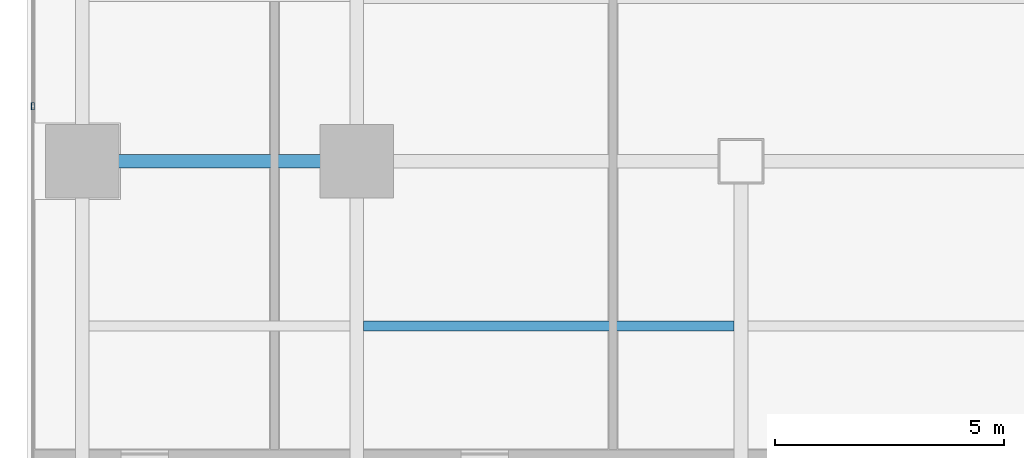
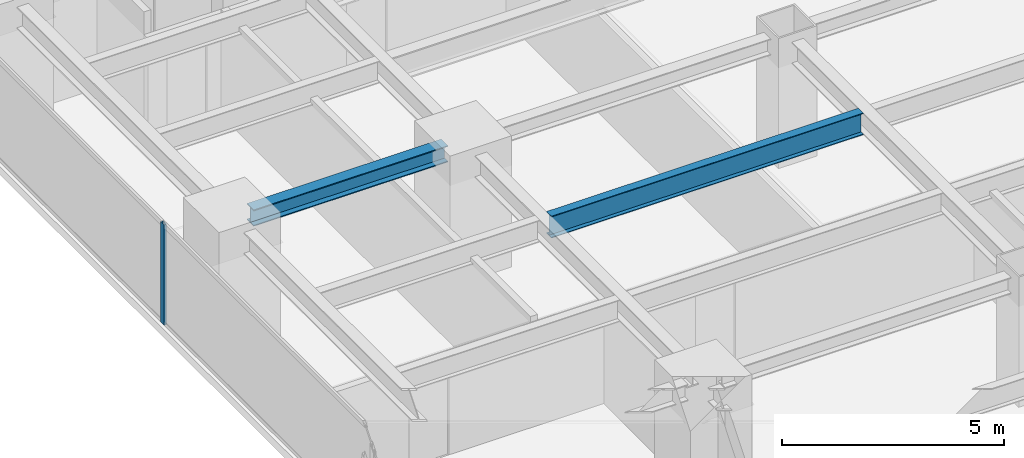
# One storey, part 7 of 28: 2 beams, 1 member, 1 element without a shape of its own.
"""IFC4 building model written with IfcOpenShell, lengths in metres."""

from ifc_helpers import new_model, si_unit, direction, frame, origin, origin_2d, place, context, subcontext, project, spatial, hollow_rectangle, i_section, extrude, source, transform, mapped, material, layer, layer_set, material_profile, profile_set, type_object, element, aggregate, save


model = new_model("IFC4")

# Units and contexts
model_context = context("Model", 3, precision=1e-05, world=origin(), true_north=direction((0.0, 1.0)))
body_context = subcontext(model_context, "Body", "Model", "MODEL_VIEW")
ifc_project = project(units=[si_unit("LENGTHUNIT", "METRE"), si_unit("AREAUNIT", "SQUARE_METRE"), si_unit("VOLUMEUNIT", "CUBIC_METRE"), si_unit("PLANEANGLEUNIT", "RADIAN"), si_unit("MASSUNIT", "GRAM", prefix="KILO")], contexts=[model_context])

# Site, building, storey
site_placement = place(None, origin())
site = spatial("IfcSite", under=ifc_project, at=site_placement, CompositionType="ELEMENT")
building_placement = place(site_placement, origin())
building = spatial("IfcBuilding", under=site, at=building_placement, Name="Sumidabori Civic Tower", CompositionType="ELEMENT")
storey_placement = place(building_placement, frame((0.0, 0.0, 174.800048828125)))
storey = spatial("IfcBuildingStorey", under=building, at=storey_placement, Name="L45", CompositionType="ELEMENT", Elevation=174.800048828125)

# Beams
ifc_material_1 = material(Name="Steel SN490", Category="steel")
ifc_material_profile_1 = material_profile(ifc_material_1, i_section(OverallWidth=0.219970703125, OverallDepth=0.60009765625, WebThickness=0.011962890625, FlangeThickness=0.01904296875, at=origin_2d()), Name="IPE 600")
ifc_profile_set_1 = profile_set([ifc_material_profile_1], Name="Steel SN490")
beam_type_1 = type_object("IfcBeamType", Name="BM-JST-600", PredefinedType="JOIST", material=ifc_profile_set_1)
shared_shape_1 = source(origin(), body_context, "Body", "SweptSolid", [
    extrude(i_section(OverallWidth=0.219970703125, OverallDepth=0.60009765625, WebThickness=0.011962890625, FlangeThickness=0.01904296875, at=origin_2d()), origin(), (0.0, 0.0, 1.0), 8.099853515625),
])
beam_1_placement = place(storey_placement, frame((-16.64990234375, -3.60009765625, 3.079833984375), z_axis=(1.0, 0.0, 0.0), x_axis=(0.0, 1.0, 0.0)))
element("IfcBeam", 1, at=beam_1_placement, inside=storey, type_object=beam_type_1, Name="South Bay Floor Joist L45 JSTS-57", PredefinedType="JOIST", context=body_context, shape_type="MappedRepresentation", body=[
    mapped(shared_shape_1, transform((0.0, 0.0, 0.0), x_axis=(1.0, 0.0, 0.0), y_axis=(0.0, 1.0, 0.0), z_axis=(0.0, 0.0, 1.0), scale=1.0)),
])
ifc_material_profile_2 = material_profile(ifc_material_1, i_section(OverallWidth=0.300048828125, OverallDepth=0.449951171875, WebThickness=0.013916015625, FlangeThickness=0.02587890625, at=origin_2d()), Name="HE 450 B")
ifc_profile_set_2 = profile_set([ifc_material_profile_2], Name="Steel SN490")
beam_type_2 = type_object("IfcBeamType", Name="BM-GIRD-450", PredefinedType="BEAM", material=ifc_profile_set_2)
shared_shape_2 = source(origin(), body_context, "Body", "SweptSolid", [
    extrude(i_section(OverallWidth=0.300048828125, OverallDepth=0.449951171875, WebThickness=0.013916015625, FlangeThickness=0.02587890625, at=origin_2d()), origin(), (0.0, 0.0, 1.0), 5.0400390625),
])
beam_2_placement = place(storey_placement, frame((-22.320068359375, 0.0, 3.155029296875), z_axis=(1.0, 0.0, 0.0), x_axis=(0.0, 1.0, 0.0)))
element("IfcBeam", 2, at=beam_2_placement, inside=storey, type_object=beam_type_2, Name="Primary Girder L45 GX-11", PredefinedType="BEAM", context=body_context, shape_type="MappedRepresentation", body=[
    mapped(shared_shape_2, transform((0.0, 0.0, 0.0), x_axis=(1.0, 0.0, 0.0), y_axis=(0.0, 1.0, 0.0), z_axis=(0.0, 0.0, 1.0), scale=1.0)),
])

# Curtain wall, member
ifc_material_2 = material(Name="Anodised Bronze Aluminium AW-6063-T6", Category="aluminium")
ifc_layer = layer(ifc_material_2, 0.179931640625, Name="Anodised Bronze Aluminium AW-6063-T6")
ifc_layer_set = layer_set([ifc_layer], Name="Anodised Bronze Aluminium AW-6063-T6")
curtain_wall_type = type_object("IfcCurtainWallType", Name="CW-SYS-3", PredefinedType="NOTDEFINED", material=ifc_layer_set)
curtain_wall_placement = place(storey_placement, origin())
curtain_wall = element("IfcCurtainWall", 3, at=curtain_wall_placement, inside=storey, type_object=curtain_wall_type, Name="Curtain Wall CW:L45:R10", PredefinedType="NOTDEFINED")
ifc_material_profile_3 = material_profile(ifc_material_2, hollow_rectangle(XDim=0.06494140625, YDim=0.159912109375, WallThickness=0.0048828125, at=origin_2d()), Name="ALU MULLION 160x65")
ifc_profile_set_3 = profile_set([ifc_material_profile_3], Name="Anodised Bronze Aluminium AW-6063-T6")
member_type = type_object("IfcMemberType", Name="CW-MUL-160", PredefinedType="MULLION", material=ifc_profile_set_3)
shared_shape_3 = source(origin(), body_context, "Body", "SweptSolid", [
    extrude(hollow_rectangle(XDim=0.06494140625, YDim=0.159912109375, WallThickness=0.0048828125, at=origin_2d()), origin(), (0.0, 0.0, 1.0), 2.760009765625),
])
member_placement = place(storey_placement, frame((-23.8798828125, 1.199951171875, 0.0), z_axis=(0.0, 0.0, 1.0), x_axis=(1.0, 0.0, 0.0)))
member = element("IfcMember", 4, at=member_placement, type_object=member_type, Name="CW-3 mullion 3", PredefinedType="MULLION", context=body_context, shape_type="MappedRepresentation", body=[
    mapped(shared_shape_3, transform((0.0, 0.0, 0.0), x_axis=(1.0, 0.0, 0.0), y_axis=(0.0, 1.0, 0.0), z_axis=(0.0, 0.0, 1.0), scale=1.0)),
])
aggregate(curtain_wall, [member])

save(model, "model.ifc")
